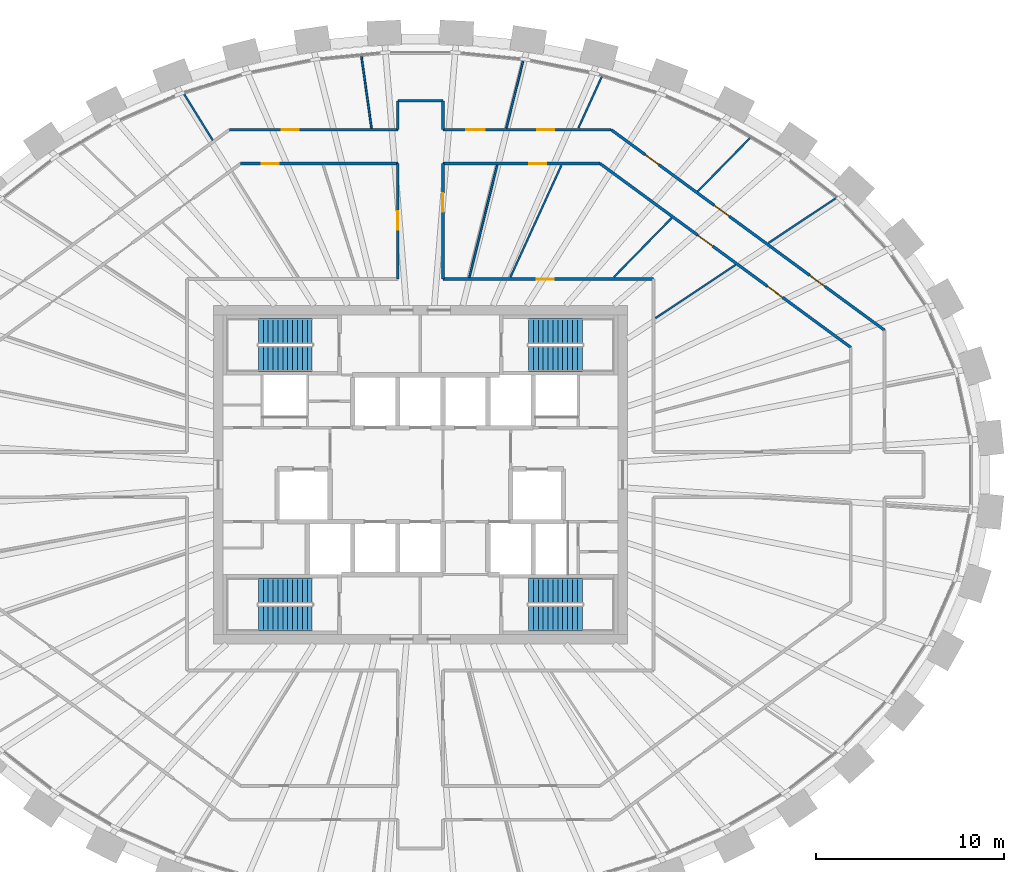
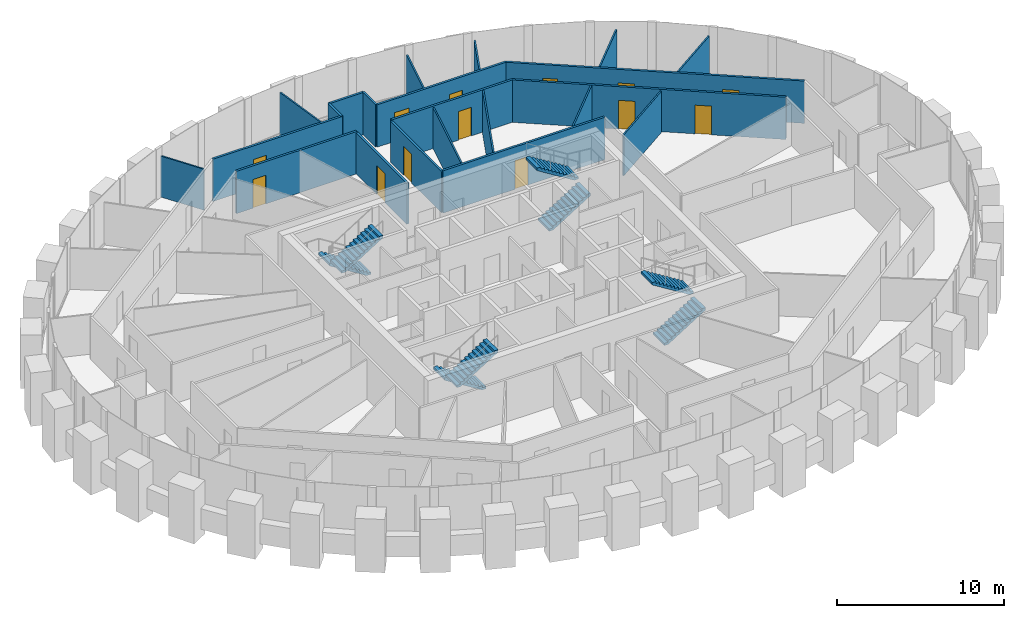
# One storey, part 10 of 11: 22 walls, 13 doors, 8 stair flights, 13 openings, 4 elements without a shape of their own.
"""IFC4 building model written with IfcOpenShell, lengths in metres."""

import ifcopenshell
import ifcopenshell.guid

model = None  # the IFC model being written
_history = None  # IfcOwnerHistory: only IFC2X3 demands one
_inside = {}  # id of a spatial element -> (the spatial element, [elements in it])
_under = {}  # id of a project, library or spatial element -> (it, [spatial elements below it])
_declared = {}  # id of a project -> (the project, [libraries it declares])
_typed = {}  # id of a type object -> (the type object, [elements of that type])
_made_of = {}  # id of a material, layer set ... -> (it, [elements and type objects made of it])


def new_model(schema):
    """Start an empty IFC model of exactly this schema.

    Asked for "IFC4X3", IfcOpenShell would pick the latest addendum, in which some entities
    have other attributes; the version numbers below select the first issue.
    IFC2X3 requires an IfcOwnerHistory on every rooted entity: one is made here for all.
    """
    global model, _history
    if schema == "IFC4X3":
        model = ifcopenshell.file(schema_version=(4, 3, 0, 0))
    else:
        model = ifcopenshell.file(schema=schema)
    _inside.clear()
    _under.clear()
    _declared.clear()
    _typed.clear()
    _made_of.clear()
    _history = None
    if model.schema == "IFC2X3":
        org = make("IfcOrganization", Name="unknown")
        user = make(
            "IfcPersonAndOrganization",
            ThePerson=make("IfcPerson", FamilyName="unknown"),
            TheOrganization=org,
        )
        app = make(
            "IfcApplication",
            ApplicationDeveloper=org,
            Version="unknown",
            ApplicationFullName="unknown",
            ApplicationIdentifier="unknown",
        )
        _history = make(
            "IfcOwnerHistory",
            OwningUser=user,
            OwningApplication=app,
            ChangeAction="ADDED",
            CreationDate=0,
        )
    return model


def make(cls, **values):
    """One entity of the class cls with the attributes given. An attribute that is None is left unset."""
    return model.create_entity(
        cls, **{name: value for name, value in values.items() if value is not None}
    )


def rooted(cls, **values):
    """An entity with a GlobalId (a new one), such as an element, a storey or a relation."""
    return make(cls, GlobalId=ifcopenshell.guid.new(), OwnerHistory=_history, **values)


def si_unit(unit_type, name, prefix=None):
    """IfcSIUnit, for example si_unit("LENGTHUNIT", "METRE", prefix="MILLI")."""
    return make("IfcSIUnit", UnitType=unit_type, Prefix=prefix, Name=name)


def assignment(units):
    """IfcUnitAssignment: the units of a project."""
    return None if units is None else make("IfcUnitAssignment", Units=units)


def point(xyz):
    """IfcCartesianPoint."""
    return None if xyz is None else make("IfcCartesianPoint", Coordinates=xyz)


def direction(xyz):
    """IfcDirection."""
    return None if xyz is None else make("IfcDirection", DirectionRatios=xyz)


def frame(location, z_axis=None, x_axis=None):
    """IfcAxis2Placement3D, a coordinate frame: its origin and axes. An axis left out is left unset."""
    return make(
        "IfcAxis2Placement3D",
        Location=point(location),
        Axis=direction(z_axis),
        RefDirection=direction(x_axis),
    )


def frame_2d(location, x_axis=None):
    """IfcAxis2Placement2D, a coordinate frame in the plane: its origin and x axis."""
    return make(
        "IfcAxis2Placement2D", Location=point(location), RefDirection=direction(x_axis)
    )


def origin():
    """The frame at (0, 0, 0) with its axes left unset."""
    return frame((0.0, 0.0, 0.0))


def place(relative_to, where):
    """IfcLocalPlacement: puts the frame where relative to a parent placement (None: the world)."""
    return make(
        "IfcLocalPlacement", PlacementRelTo=relative_to, RelativePlacement=where
    )


def context(
    kind, dimensions, precision=None, world=None, true_north=None, identifier=None
):
    """IfcGeometricRepresentationContext, for example the 3D "Model" context."""
    return make(
        "IfcGeometricRepresentationContext",
        ContextIdentifier=identifier,
        ContextType=kind,
        CoordinateSpaceDimension=dimensions,
        Precision=precision,
        WorldCoordinateSystem=world,
        TrueNorth=true_north,
    )


def subcontext(parent, identifier, kind, view, scale=None):
    """IfcGeometricRepresentationSubContext, for example "Body" below "Model"."""
    return make(
        "IfcGeometricRepresentationSubContext",
        ContextIdentifier=identifier,
        ContextType=kind,
        ParentContext=parent,
        TargetScale=scale,
        TargetView=view,
    )


def project(units=None, contexts=None):
    """IfcProject with its units and contexts."""
    return rooted(
        "IfcProject",
        Name="project",
        RepresentationContexts=contexts,
        UnitsInContext=assignment(units),
    )


def spatial(cls, under=None, at=None, **own):
    """A site, building, storey or space (cls), placed at a placement, below another one or the project."""
    s = rooted(cls, ObjectPlacement=at, **own)
    if under is not None:
        _under.setdefault(under.id(), (under, []))[1].append(s)
    return s


def polyline(points):
    """IfcPolyline through the points."""
    return make("IfcPolyline", Points=[point(p) for p in points])


def profile(cls, at=None, kind="AREA", **sizes):
    """A parametric profile (cls). Its sizes go by their IFC names, for example OverallWidth=200.0."""
    return make(cls, ProfileType=kind, Position=at, **sizes)


def rectangle(**sizes):
    """IfcRectangleProfileDef."""
    return profile("IfcRectangleProfileDef", **sizes)


def outline(outer, holes=None, kind="AREA"):
    """IfcArbitraryClosedProfileDef: a profile drawn as a closed curve; with holes, ...WithVoids."""
    if holes is None:
        return make("IfcArbitraryClosedProfileDef", ProfileType=kind, OuterCurve=outer)
    return make(
        "IfcArbitraryProfileDefWithVoids",
        ProfileType=kind,
        OuterCurve=outer,
        InnerCurves=holes,
    )


def extrude(swept, where, along, depth):
    """IfcExtrudedAreaSolid: the profile swept, set in the frame where, extruded along a direction by depth."""
    return make(
        "IfcExtrudedAreaSolid",
        SweptArea=swept,
        Position=where,
        ExtrudedDirection=direction(along),
        Depth=depth,
    )


def shape(context_of_items, identifier, shape_type, items):
    """IfcShapeRepresentation: the items that make up one representation, for example the "Body"."""
    return make(
        "IfcShapeRepresentation",
        ContextOfItems=context_of_items,
        RepresentationIdentifier=identifier,
        RepresentationType=shape_type,
        Items=items,
    )


def source(mapping_origin, context_of_items, identifier, shape_type, items):
    """IfcRepresentationMap: a shape defined once, which mapped items show again and again."""
    return make(
        "IfcRepresentationMap",
        MappingOrigin=mapping_origin,
        MappedRepresentation=shape(context_of_items, identifier, shape_type, items),
    )


def transform(
    local_origin,
    x_axis=None,
    y_axis=None,
    z_axis=None,
    scale=None,
    scale2=None,
    scale3=None,
    uniform=True,
):
    """IfcCartesianTransformationOperator3D, or its non-uniform kind. x_axis, y_axis, z_axis: its Axis1, 2, 3."""
    if uniform:
        return make(
            "IfcCartesianTransformationOperator3D",
            Axis1=direction(x_axis),
            Axis2=direction(y_axis),
            LocalOrigin=point(local_origin),
            Scale=scale,
            Axis3=direction(z_axis),
        )
    return make(
        "IfcCartesianTransformationOperator3DnonUniform",
        Axis1=direction(x_axis),
        Axis2=direction(y_axis),
        LocalOrigin=point(local_origin),
        Scale=scale,
        Axis3=direction(z_axis),
        Scale2=scale2,
        Scale3=scale3,
    )


def mapped(mapping_source, mapping_target):
    """IfcMappedItem: shows the shape of a source again, moved by a transform."""
    return make(
        "IfcMappedItem", MappingSource=mapping_source, MappingTarget=mapping_target
    )


def material(Name=None, Category=None):
    """IfcMaterial."""
    return make("IfcMaterial", Name=Name, Category=Category)


def layer(
    of_material, thickness, ventilated=None, Name=None, Category=None, Priority=None
):
    """IfcMaterialLayer: one layer of a wall or slab, of a material (None: an air gap)."""
    return make(
        "IfcMaterialLayer",
        Material=of_material,
        LayerThickness=thickness,
        IsVentilated=ventilated,
        Name=Name,
        Category=Category,
        Priority=Priority,
    )


def layer_set(layers, Name=None):
    """IfcMaterialLayerSet."""
    return make("IfcMaterialLayerSet", MaterialLayers=layers, LayerSetName=Name)


def made_of(thing, what):
    """Note that an element or type object is made of a material, layer set ...; save() writes the relation."""
    if what is not None:
        _made_of.setdefault(what.id(), (what, []))[1].append(thing)
    return thing


def type_object(cls, material=None, **own):
    """A type object (cls), such as IfcWallType, which elements share."""
    return made_of(rooted(cls, **own), material)


def element(
    cls,
    number,
    at=None,
    inside=None,
    cuts=None,
    type_object=None,
    material=None,
    context=None,
    identifier="Body",
    shape_type=None,
    held_by="IfcProductDefinitionShape",
    body=None,
    shapes=None,
    **own,
):
    """One element of the class cls, such as IfcWall. Its Tag is "e" and its number.

    at: its placement. inside: the storey or other place that contains it. cuts: it is an
    opening in that element (IfcRelVoidsElement). A single representation is given by context,
    identifier, shape_type and body (its items); several are given by shapes. held_by: the class
    of the entity that holds the representations. save() writes the other relations.
    """
    e = rooted(cls, Tag="e%d" % number, ObjectPlacement=at, **own)
    if body is not None:
        shapes = [shape(context, identifier, shape_type, body)]
    if shapes is not None:
        e.Representation = make(held_by, Representations=shapes)
    if inside is not None:
        _inside.setdefault(inside.id(), (inside, []))[1].append(e)
    if cuts is not None:
        rooted(
            "IfcRelVoidsElement", RelatingBuildingElement=cuts, RelatedOpeningElement=e
        )
    if type_object is not None:
        _typed.setdefault(type_object.id(), (type_object, []))[1].append(e)
    return made_of(e, material)


def fill(opening, filler):
    """IfcRelFillsElement: the door or window that sits in an opening."""
    return rooted(
        "IfcRelFillsElement",
        RelatingOpeningElement=opening,
        RelatedBuildingElement=filler,
    )


def aggregate(whole, parts):
    """IfcRelAggregates: a whole, such as a stair, and the parts it consists of."""
    return rooted("IfcRelAggregates", RelatingObject=whole, RelatedObjects=parts)


def save(model, path):
    """Write the relations noted so far, then the file.

    IfcRelAggregates (storeys below a building ...), IfcRelContainedInSpatialStructure (elements
    in a storey), IfcRelDefinesByType, IfcRelAssociatesMaterial and IfcRelDeclares: one each for
    every whole, place, type object, material and project.
    """
    for whole, parts in _under.values():
        aggregate(whole, parts)
    for where, things in _inside.values():
        rooted(
            "IfcRelContainedInSpatialStructure",
            RelatedElements=things,
            RelatingStructure=where,
        )
    for kind, things in _typed.values():
        rooted("IfcRelDefinesByType", RelatedObjects=things, RelatingType=kind)
    for what, things in _made_of.values():
        rooted("IfcRelAssociatesMaterial", RelatedObjects=things, RelatingMaterial=what)
    for by, libraries in _declared.values():
        rooted("IfcRelDeclares", RelatingContext=by, RelatedDefinitions=libraries)
    model.write(path)


model = new_model("IFC4")

# Units and contexts
model_context = context("Model", 3, precision=1e-05, world=origin(), true_north=direction((0.0, 1.0)))
body_context = subcontext(model_context, "Body", "Model", "MODEL_VIEW")
ifc_project = project(units=[si_unit("LENGTHUNIT", "METRE"), si_unit("AREAUNIT", "SQUARE_METRE"), si_unit("VOLUMEUNIT", "CUBIC_METRE"), si_unit("PLANEANGLEUNIT", "RADIAN"), si_unit("MASSUNIT", "GRAM", prefix="KILO")], contexts=[model_context])

# Site, building, storey
site_placement = place(None, origin())
site = spatial("IfcSite", under=ifc_project, at=site_placement, CompositionType="ELEMENT")
building_placement = place(site_placement, origin())
building = spatial("IfcBuilding", under=site, at=building_placement, Name="Embergate Tower", CompositionType="ELEMENT")
storey_placement = place(building_placement, frame((0.0, 0.0, 305.199951171875)))
storey = spatial("IfcBuildingStorey", under=building, at=storey_placement, Name="L71", CompositionType="ELEMENT", Elevation=305.199951171875)

# Wall, opening, door
ifc_material_1 = material(Name="Corridor wall dry-lined 150")
ifc_layer_1 = layer(ifc_material_1, 0.14990234375)
ifc_layer_set_1 = layer_set([ifc_layer_1], Name="Corridor wall dry-lined 150")
wall_type_1 = type_object("IfcWallType", Name="Corridor wall dry-lined 150", PredefinedType="PARTITIONING", material=ifc_layer_set_1)
shared_shape_1 = source(origin(), body_context, "Body", "SweptSolid", [
    extrude(rectangle(XDim=11.199951171875, YDim=0.14990234375, at=frame_2d((5.60009765625, 0.0))), origin(), (0.0, 0.0, 1.0), 3.10009765625),
])
wall_1_placement = place(storey_placement, frame((12.39990234375, 10.39990234375, 0.0), z_axis=(0.0, 0.0, 1.0), x_axis=(-1.0, 0.0, 0.0)))
wall_1 = element("IfcWall", 1, at=wall_1_placement, inside=storey, type_object=wall_type_1, Name="IP-2 wall", PredefinedType="PARTITIONING", context=body_context, shape_type="MappedRepresentation", body=[
    mapped(shared_shape_1, transform((0.0, 0.0, 0.0))),
])
shared_shape_2 = source(origin(), body_context, "Body", "SweptSolid", [
    extrude(rectangle(XDim=0.89990234375, YDim=2.10009765625, at=frame_2d((0.449951171875, 1.050048828125))), frame((0.0, 0.0849609375, 0.0), z_axis=(0.0, -1.0, 0.0), x_axis=(1.0, 0.0, 0.0)), (0.0, 0.0, 1.0), 0.169921875),
])
opening_1_placement = place(wall_1_placement, frame((5.31591796875, 0.0, 0.0)))
opening_1 = element("IfcOpeningElement", 2, at=opening_1_placement, cuts=wall_1, Name="Opening IF-1c", PredefinedType="OPENING", context=body_context, shape_type="MappedRepresentation", body=[
    mapped(shared_shape_2, transform((0.0, 0.0, 0.0))),
])
ifc_material_2 = material(Name="Escape fire door 900")
door_type_1 = type_object("IfcDoorType", Name="Escape fire door 900", OperationType="SINGLE_SWING_LEFT", PredefinedType="DOOR", material=ifc_material_2)
shared_shape_3 = source(origin(), body_context, "Body", "SweptSolid", [
    extrude(rectangle(XDim=0.89990234375, YDim=2.10009765625, at=frame_2d((0.449951171875, 1.050048828125))), frame((0.0, 0.02490234375, 0.0), z_axis=(0.0, -1.0, 0.0), x_axis=(1.0, 0.0, 0.0)), (0.0, 0.0, 1.0), 0.050048828125),
])
door_1_placement = place(opening_1_placement, origin())
door_1 = element("IfcDoor", 3, at=door_1_placement, inside=storey, type_object=door_type_1, Name="IF-1 door", OperationType="SINGLE_SWING_RIGHT", OverallHeight=2.10009765625, OverallWidth=0.89990234375, PredefinedType="DOOR", context=body_context, shape_type="MappedRepresentation", body=[
    mapped(shared_shape_3, transform((0.0, 0.0, 0.0))),
])
fill(opening_1, door_1)

# Wall
shared_shape_4 = source(origin(), body_context, "Body", "SweptSolid", [
    extrude(rectangle(XDim=2.39990234375, YDim=0.14990234375, at=frame_2d((1.199951171875, 0.0))), origin(), (0.0, 0.0, 1.0), 3.10009765625),
])
wall_2_placement = place(storey_placement, frame((-1.199951171875, 19.8779296875, 0.0), z_axis=(0.0, 0.0, 1.0), x_axis=(1.0, 0.0, 0.0)))
element("IfcWall", 4, at=wall_2_placement, inside=storey, type_object=wall_type_1, Name="IP-2 wall", PredefinedType="PARTITIONING", context=body_context, shape_type="MappedRepresentation", body=[
    mapped(shared_shape_4, transform((0.0, 0.0, 0.0))),
])

# Wall, openings, doors
shared_shape_5 = source(origin(), body_context, "Body", "SweptSolid", [
    extrude(rectangle(XDim=18.027099609375, YDim=0.14990234375, at=frame_2d((9.013671875, 0.0))), origin(), (0.0, 0.0, 1.0), 3.10009765625),
])
wall_3_placement = place(storey_placement, frame((24.681884765625, 7.679931640625, 0.0), z_axis=(0.0, 0.0, 1.0), x_axis=(-0.80638475932, 0.591391257914, 0.0)))
wall_3 = element("IfcWall", 5, at=wall_3_placement, inside=storey, type_object=wall_type_1, Name="IP-2 wall", PredefinedType="PARTITIONING", context=body_context, shape_type="MappedRepresentation", body=[
    mapped(shared_shape_5, transform((0.0, 0.0, 0.0))),
])
shared_shape_6 = source(origin(), body_context, "Body", "SweptSolid", [
    extrude(rectangle(XDim=1.0, YDim=2.10009765625, at=frame_2d((0.5, 1.050048828125))), frame((0.0, 0.0849609375, 0.0), z_axis=(0.0, -1.0, 0.0), x_axis=(1.0, 0.0, 0.0)), (0.0, 0.0, 1.0), 0.169921875),
])
opening_2_placement = place(wall_3_placement, frame((3.932861328125, 0.0, 0.0)))
opening_2 = element("IfcOpeningElement", 6, at=opening_2_placement, cuts=wall_3, Name="Opening ID-2", PredefinedType="OPENING", context=body_context, shape_type="MappedRepresentation", body=[
    mapped(shared_shape_6, transform((0.0, 0.0, 0.0))),
])
opening_3_placement = place(wall_3_placement, frame((10.23876953125, 0.0, 0.0)))
opening_3 = element("IfcOpeningElement", 7, at=opening_3_placement, cuts=wall_3, Name="Opening ID-2", PredefinedType="OPENING", context=body_context, shape_type="MappedRepresentation", body=[
    mapped(shared_shape_6, transform((0.0, 0.0, 0.0))),
])
opening_4_placement = place(wall_3_placement, frame((14.87939453125, 0.0, 0.0)))
opening_4 = element("IfcOpeningElement", 8, at=opening_4_placement, cuts=wall_3, Name="Opening IF-1c", PredefinedType="OPENING", context=body_context, shape_type="MappedRepresentation", body=[
    mapped(shared_shape_2, transform((0.0, 0.0, 0.0))),
])
door_2_placement = place(opening_4_placement, origin())
door_2 = element("IfcDoor", 9, at=door_2_placement, inside=storey, type_object=door_type_1, Name="IF-1 door", OperationType="SINGLE_SWING_LEFT", OverallHeight=2.10009765625, OverallWidth=0.89990234375, PredefinedType="DOOR", context=body_context, shape_type="MappedRepresentation", body=[
    mapped(shared_shape_3, transform((0.0, 0.0, 0.0))),
])
fill(opening_4, door_2)
ifc_material_3 = material(Name="Interior door 1000")
door_type_2 = type_object("IfcDoorType", Name="Interior door 1000", OperationType="SINGLE_SWING_LEFT", PredefinedType="DOOR", material=ifc_material_3)
shared_shape_7 = source(origin(), body_context, "Body", "SweptSolid", [
    extrude(rectangle(XDim=1.0, YDim=2.10009765625, at=frame_2d((0.5, 1.050048828125))), frame((0.0, 0.02490234375, 0.0), z_axis=(0.0, -1.0, 0.0), x_axis=(1.0, 0.0, 0.0)), (0.0, 0.0, 1.0), 0.050048828125),
])
door_3_placement = place(opening_2_placement, origin())
door_3 = element("IfcDoor", 10, at=door_3_placement, inside=storey, type_object=door_type_2, Name="ID-2 door", OperationType="SINGLE_SWING_RIGHT", OverallHeight=2.10009765625, OverallWidth=1.0, PredefinedType="DOOR", context=body_context, shape_type="MappedRepresentation", body=[
    mapped(shared_shape_7, transform((0.0, 0.0, 0.0))),
])
fill(opening_2, door_3)
door_4_placement = place(opening_3_placement, origin())
door_4 = element("IfcDoor", 11, at=door_4_placement, inside=storey, type_object=door_type_2, Name="ID-2 door", OperationType="SINGLE_SWING_LEFT", OverallHeight=2.10009765625, OverallWidth=1.0, PredefinedType="DOOR", context=body_context, shape_type="MappedRepresentation", body=[
    mapped(shared_shape_7, transform((0.0, 0.0, 0.0))),
])
fill(opening_3, door_4)

shared_shape_8 = source(origin(), body_context, "Body", "SweptSolid", [
    extrude(rectangle(XDim=16.525634765625, YDim=0.14990234375, at=frame_2d((8.2626953125, 0.0))), origin(), (0.0, 0.0, 1.0), 3.10009765625),
])
wall_4_placement = place(storey_placement, frame((9.555908203125, 16.541015625, 0.0), z_axis=(0.0, 0.0, 1.0), x_axis=(0.806392784122, -0.591380315631, 0.0)))
wall_4 = element("IfcWall", 12, at=wall_4_placement, inside=storey, type_object=wall_type_1, Name="IP-2 wall", PredefinedType="PARTITIONING", context=body_context, shape_type="MappedRepresentation", body=[
    mapped(shared_shape_8, transform((0.0, 0.0, 0.0))),
])
opening_5_placement = place(wall_4_placement, frame((11.03271484375, 0.0, 0.0)))
opening_5 = element("IfcOpeningElement", 13, at=opening_5_placement, cuts=wall_4, Name="Opening ID-2", PredefinedType="OPENING", context=body_context, shape_type="MappedRepresentation", body=[
    mapped(shared_shape_6, transform((0.0, 0.0, 0.0))),
])
opening_6_placement = place(wall_4_placement, frame((6.4345703125, 0.0, 0.0)))
opening_6 = element("IfcOpeningElement", 14, at=opening_6_placement, cuts=wall_4, Name="Opening ID-2", PredefinedType="OPENING", context=body_context, shape_type="MappedRepresentation", body=[
    mapped(shared_shape_6, transform((0.0, 0.0, 0.0))),
])
door_5_placement = place(opening_5_placement, origin())
door_5 = element("IfcDoor", 15, at=door_5_placement, inside=storey, type_object=door_type_2, Name="ID-2 door", OperationType="SINGLE_SWING_RIGHT", OverallHeight=2.10009765625, OverallWidth=1.0, PredefinedType="DOOR", context=body_context, shape_type="MappedRepresentation", body=[
    mapped(shared_shape_7, transform((0.0, 0.0, 0.0))),
])
fill(opening_5, door_5)
door_6_placement = place(opening_6_placement, origin())
door_6 = element("IfcDoor", 16, at=door_6_placement, inside=storey, type_object=door_type_2, Name="ID-2 door", OperationType="SINGLE_SWING_LEFT", OverallHeight=2.10009765625, OverallWidth=1.0, PredefinedType="DOOR", context=body_context, shape_type="MappedRepresentation", body=[
    mapped(shared_shape_7, transform((0.0, 0.0, 0.0))),
])
fill(opening_6, door_6)

shared_shape_9 = source(origin(), body_context, "Body", "SweptSolid", [
    extrude(rectangle(XDim=8.945068359375, YDim=0.14990234375, at=frame_2d((4.47265625, 0.0))), origin(), (0.0, 0.0, 1.0), 3.10009765625),
])
wall_5_placement = place(storey_placement, frame((10.14501953125, 18.341064453125, 0.0), z_axis=(0.0, 0.0, 1.0), x_axis=(-1.0, 0.0, 0.0)))
wall_5 = element("IfcWall", 17, at=wall_5_placement, inside=storey, type_object=wall_type_1, Name="IP-2 wall", PredefinedType="PARTITIONING", context=body_context, shape_type="MappedRepresentation", body=[
    mapped(shared_shape_9, transform((0.0, 0.0, 0.0))),
])
opening_7_placement = place(wall_5_placement, frame((3.0302734375, 0.0, 0.0)))
opening_7 = element("IfcOpeningElement", 18, at=opening_7_placement, cuts=wall_5, Name="Opening IF-1c", PredefinedType="OPENING", context=body_context, shape_type="MappedRepresentation", body=[
    mapped(shared_shape_2, transform((0.0, 0.0, 0.0))),
])
opening_8_placement = place(wall_5_placement, frame((6.71630859375, 0.0, 0.0)))
opening_8 = element("IfcOpeningElement", 19, at=opening_8_placement, cuts=wall_5, Name="Opening ID-2", PredefinedType="OPENING", context=body_context, shape_type="MappedRepresentation", body=[
    mapped(shared_shape_6, transform((0.0, 0.0, 0.0))),
])
door_7_placement = place(opening_7_placement, origin())
door_7 = element("IfcDoor", 20, at=door_7_placement, inside=storey, type_object=door_type_1, Name="IF-1 door", OperationType="SINGLE_SWING_LEFT", OverallHeight=2.10009765625, OverallWidth=0.89990234375, PredefinedType="DOOR", context=body_context, shape_type="MappedRepresentation", body=[
    mapped(shared_shape_3, transform((0.0, 0.0, 0.0))),
])
fill(opening_7, door_7)
door_8_placement = place(opening_8_placement, origin())
door_8 = element("IfcDoor", 21, at=door_8_placement, inside=storey, type_object=door_type_2, Name="ID-2 door", OperationType="SINGLE_SWING_LEFT", OverallHeight=2.10009765625, OverallWidth=1.0, PredefinedType="DOOR", context=body_context, shape_type="MappedRepresentation", body=[
    mapped(shared_shape_7, transform((0.0, 0.0, 0.0))),
])
fill(opening_8, door_8)

# Wall, opening, door
wall_6_placement = place(storey_placement, frame((-10.14501953125, 18.341064453125, 0.0), z_axis=(0.0, 0.0, 1.0), x_axis=(1.0, 0.0, 0.0)))
wall_6 = element("IfcWall", 22, at=wall_6_placement, inside=storey, type_object=wall_type_1, Name="IP-2 wall", PredefinedType="PARTITIONING", context=body_context, shape_type="MappedRepresentation", body=[
    mapped(shared_shape_9, transform((0.0, 0.0, 0.0))),
])
opening_9_placement = place(wall_6_placement, frame((2.787353515625, 0.0, 0.0)))
opening_9 = element("IfcOpeningElement", 23, at=opening_9_placement, cuts=wall_6, Name="Opening IF-1c", PredefinedType="OPENING", context=body_context, shape_type="MappedRepresentation", body=[
    mapped(shared_shape_2, transform((0.0, 0.0, 0.0))),
])
door_9_placement = place(opening_9_placement, origin())
door_9 = element("IfcDoor", 24, at=door_9_placement, inside=storey, type_object=door_type_1, Name="IF-1 door", OperationType="SINGLE_SWING_LEFT", OverallHeight=2.10009765625, OverallWidth=0.89990234375, PredefinedType="DOOR", context=body_context, shape_type="MappedRepresentation", body=[
    mapped(shared_shape_3, transform((0.0, 0.0, 0.0))),
])
fill(opening_9, door_9)

# Walls
shared_shape_10 = source(origin(), body_context, "Body", "SweptSolid", [
    extrude(rectangle(XDim=1.536865234375, YDim=0.14990234375, at=frame_2d((0.7685546875, 0.0))), origin(), (0.0, 0.0, 1.0), 3.10009765625),
])
for number, where, z_axis, x_axis, name in (
    (25, (-1.199951171875, 18.341064453125, 0.0), (0.0, 0.0, 1.0), (0.0, 1.0, 0.0), "IP-2 wall"),
    (26, (1.199951171875, 19.8779296875, 0.0), (0.0, 0.0, 1.0), (0.0, -1.0, 0.0), "IP-2 wall"),
):
    element("IfcWall", number, at=place(storey_placement, frame(where, z_axis=z_axis, x_axis=x_axis)), inside=storey, type_object=wall_type_1, Name=name, PredefinedType="PARTITIONING", context=body_context, shape_type="MappedRepresentation", body=[
        mapped(shared_shape_10, transform((0.0, 0.0, 0.0))),
    ])

# Wall, opening, door
shared_shape_11 = source(origin(), body_context, "Body", "SweptSolid", [
    extrude(rectangle(XDim=8.35595703125, YDim=0.14990234375, at=frame_2d((4.177978515625, 0.0))), origin(), (0.0, 0.0, 1.0), 3.10009765625),
])
wall_7_placement = place(storey_placement, frame((9.555908203125, 16.541015625, 0.0), z_axis=(0.0, 0.0, 1.0), x_axis=(-1.0, 0.0, 0.0)))
wall_7 = element("IfcWall", 27, at=wall_7_placement, inside=storey, type_object=wall_type_1, Name="IP-2 wall", PredefinedType="PARTITIONING", context=body_context, shape_type="MappedRepresentation", body=[
    mapped(shared_shape_11, transform((0.0, 0.0, 0.0))),
])
opening_10_placement = place(wall_7_placement, frame((2.85693359375, 0.0, 0.0)))
opening_10 = element("IfcOpeningElement", 28, at=opening_10_placement, cuts=wall_7, Name="Opening IF-1c", PredefinedType="OPENING", context=body_context, shape_type="MappedRepresentation", body=[
    mapped(shared_shape_2, transform((0.0, 0.0, 0.0))),
])
door_10_placement = place(opening_10_placement, origin())
door_10 = element("IfcDoor", 29, at=door_10_placement, inside=storey, type_object=door_type_1, Name="IF-1 door", OperationType="SINGLE_SWING_RIGHT", OverallHeight=2.10009765625, OverallWidth=0.89990234375, PredefinedType="DOOR", context=body_context, shape_type="MappedRepresentation", body=[
    mapped(shared_shape_3, transform((0.0, 0.0, 0.0))),
])
fill(opening_10, door_10)

wall_8_placement = place(storey_placement, frame((-1.199951171875, 16.541015625, 0.0), z_axis=(0.0, 0.0, 1.0), x_axis=(-1.0, 0.0, 0.0)))
wall_8 = element("IfcWall", 30, at=wall_8_placement, inside=storey, type_object=wall_type_1, Name="IP-2 wall", PredefinedType="PARTITIONING", context=body_context, shape_type="MappedRepresentation", body=[
    mapped(shared_shape_11, transform((0.0, 0.0, 0.0))),
])
opening_11_placement = place(wall_8_placement, frame((6.323974609375, 0.0, 0.0)))
opening_11 = element("IfcOpeningElement", 31, at=opening_11_placement, cuts=wall_8, Name="Opening IF-1c", PredefinedType="OPENING", context=body_context, shape_type="MappedRepresentation", body=[
    mapped(shared_shape_2, transform((0.0, 0.0, 0.0))),
])
door_11_placement = place(opening_11_placement, origin())
door_11 = element("IfcDoor", 32, at=door_11_placement, inside=storey, type_object=door_type_1, Name="IF-1 door", OperationType="SINGLE_SWING_LEFT", OverallHeight=2.10009765625, OverallWidth=0.89990234375, PredefinedType="DOOR", context=body_context, shape_type="MappedRepresentation", body=[
    mapped(shared_shape_3, transform((0.0, 0.0, 0.0))),
])
fill(opening_11, door_11)

shared_shape_12 = source(origin(), body_context, "Body", "SweptSolid", [
    extrude(rectangle(XDim=6.14111328125, YDim=0.14990234375, at=frame_2d((3.070556640625, 0.0))), origin(), (0.0, 0.0, 1.0), 3.0),
])
wall_9_placement = place(storey_placement, frame((-1.199951171875, 10.39990234375, 0.0), z_axis=(0.0, 0.0, 1.0), x_axis=(0.0, 1.0, 0.0)))
wall_9 = element("IfcWall", 33, at=wall_9_placement, inside=storey, type_object=wall_type_1, Name="IP-2 wall", PredefinedType="PARTITIONING", context=body_context, shape_type="MappedRepresentation", body=[
    mapped(shared_shape_12, transform((0.0, 0.0, 0.0))),
])
opening_12_placement = place(wall_9_placement, frame((2.615966796875, 0.0, 0.0)))
opening_12 = element("IfcOpeningElement", 34, at=opening_12_placement, cuts=wall_9, Name="Opening ID-2", PredefinedType="OPENING", context=body_context, shape_type="MappedRepresentation", body=[
    mapped(shared_shape_6, transform((0.0, 0.0, 0.0))),
])
door_12_placement = place(opening_12_placement, origin())
door_12 = element("IfcDoor", 35, at=door_12_placement, inside=storey, type_object=door_type_2, Name="ID-2 door", OperationType="SINGLE_SWING_LEFT", OverallHeight=2.10009765625, OverallWidth=1.0, PredefinedType="DOOR", context=body_context, shape_type="MappedRepresentation", body=[
    mapped(shared_shape_7, transform((0.0, 0.0, 0.0))),
])
fill(opening_12, door_12)

wall_10_placement = place(storey_placement, frame((1.199951171875, 16.541015625, 0.0), z_axis=(0.0, 0.0, 1.0), x_axis=(0.0, -1.0, 0.0)))
wall_10 = element("IfcWall", 36, at=wall_10_placement, inside=storey, type_object=wall_type_1, Name="IP-2 wall", PredefinedType="PARTITIONING", context=body_context, shape_type="MappedRepresentation", body=[
    mapped(shared_shape_12, transform((0.0, 0.0, 0.0))),
])
opening_13_placement = place(wall_10_placement, frame((1.571044921875, 0.0, 0.0)))
opening_13 = element("IfcOpeningElement", 37, at=opening_13_placement, cuts=wall_10, Name="Opening ID-2", PredefinedType="OPENING", context=body_context, shape_type="MappedRepresentation", body=[
    mapped(shared_shape_6, transform((0.0, 0.0, 0.0))),
])
door_13_placement = place(opening_13_placement, origin())
door_13 = element("IfcDoor", 38, at=door_13_placement, inside=storey, type_object=door_type_2, Name="ID-2 door", OperationType="SINGLE_SWING_RIGHT", OverallHeight=2.10009765625, OverallWidth=1.0, PredefinedType="DOOR", context=body_context, shape_type="MappedRepresentation", body=[
    mapped(shared_shape_7, transform((0.0, 0.0, 0.0))),
])
fill(opening_13, door_13)

# Walls
ifc_material_4 = material(Name="Partition dry-lined 100")
ifc_layer_2 = layer(ifc_material_4, 0.10009765625)
ifc_layer_set_2 = layer_set([ifc_layer_2], Name="Partition dry-lined 100")
wall_type_2 = type_object("IfcWallType", Name="Partition dry-lined 100", PredefinedType="PARTITIONING", material=ifc_layer_set_2)
shared_shape_13 = source(origin(), body_context, "Body", "SweptSolid", [
    extrude(rectangle(XDim=2.9609375, YDim=0.10009765625, at=frame_2d((1.48046875, 0.0))), origin(), (0.0, 0.0, 1.0), 3.0),
])
wall_11_placement = place(storey_placement, frame((-11.035888671875, 17.780029296875, 0.0), z_axis=(0.0, 0.0, 1.0), x_axis=(-0.527231490146, 0.849721693143, 0.0)))
element("IfcWall", 39, at=wall_11_placement, inside=storey, type_object=wall_type_2, Name="IP-1 wall", PredefinedType="PARTITIONING", context=body_context, shape_type="MappedRepresentation", body=[
    mapped(shared_shape_13, transform((0.0, 0.0, 0.0))),
])
shared_shape_14 = source(origin(), body_context, "Body", "SweptSolid", [
    extrude(rectangle(XDim=3.7626953125, YDim=0.10009765625, at=frame_2d((1.88134765625, 0.0))), origin(), (0.0, 0.0, 1.0), 3.0),
])
wall_12_placement = place(storey_placement, frame((4.573974609375, 18.427978515625, 0.0), z_axis=(0.0, 0.0, 1.0), x_axis=(0.240779579239, 0.970579823725, 0.0)))
element("IfcWall", 40, at=wall_12_placement, inside=storey, type_object=wall_type_2, Name="IP-1 wall", PredefinedType="PARTITIONING", context=body_context, shape_type="MappedRepresentation", body=[
    mapped(shared_shape_14, transform((0.0, 0.0, 0.0))),
])
shared_shape_15 = source(origin(), body_context, "Body", "SweptSolid", [
    extrude(rectangle(XDim=6.148193359375, YDim=0.10009765625, at=frame_2d((3.07421875, 0.0))), origin(), (0.0, 0.0, 1.0), 3.0),
])
wall_13_placement = place(storey_placement, frame((2.60302734375, 10.487060546875, 0.0), z_axis=(0.0, 0.0, 1.0), x_axis=(0.240881463777, 0.970554542727, 0.0)))
element("IfcWall", 41, at=wall_13_placement, inside=storey, type_object=wall_type_2, Name="IP-1 wall", PredefinedType="PARTITIONING", context=body_context, shape_type="MappedRepresentation", body=[
    mapped(shared_shape_15, transform((0.0, 0.0, 0.0))),
])
shared_shape_16 = source(origin(), body_context, "Body", "SweptSolid", [
    extrude(rectangle(XDim=4.36279296875, YDim=0.10009765625, at=frame_2d((2.181396484375, 0.0))), origin(), (0.0, 0.0, 1.0), 3.0),
])
wall_14_placement = place(storey_placement, frame((18.510009765625, 12.320068359375, 0.0), z_axis=(0.0, 0.0, 1.0), x_axis=(0.832514899446, 0.554002655409, 0.0)))
element("IfcWall", 42, at=wall_14_placement, inside=storey, type_object=wall_type_2, Name="IP-1 wall", PredefinedType="PARTITIONING", context=body_context, shape_type="MappedRepresentation", body=[
    mapped(shared_shape_16, transform((0.0, 0.0, 0.0))),
])
shared_shape_17 = source(origin(), body_context, "Body", "SweptSolid", [
    extrude(rectangle(XDim=5.103271484375, YDim=0.10009765625, at=frame_2d((2.5517578125, 0.0))), origin(), (0.0, 0.0, 1.0), 3.0),
])
wall_15_placement = place(storey_placement, frame((12.5029296875, 8.322021484375, 0.0), z_axis=(0.0, 0.0, 1.0), x_axis=(0.832425468101, 0.554137022817, 0.0)))
element("IfcWall", 43, at=wall_15_placement, inside=storey, type_object=wall_type_2, Name="IP-1 wall", PredefinedType="PARTITIONING", context=body_context, shape_type="MappedRepresentation", body=[
    mapped(shared_shape_17, transform((0.0, 0.0, 0.0))),
])
shared_shape_18 = source(origin(), body_context, "Body", "SweptSolid", [
    extrude(rectangle(XDim=4.0732421875, YDim=0.10009765625, at=frame_2d((2.03662109375, 0.0))), origin(), (0.0, 0.0, 1.0), 3.10009765625),
])
wall_16_placement = place(storey_placement, frame((17.60009765625, 17.97607421875, 0.0), z_axis=(0.0, 0.0, 1.0), x_axis=(-0.699696186737, -0.714440512755, 0.0)))
element("IfcWall", 44, at=wall_16_placement, inside=storey, type_object=wall_type_2, Name="IP-1 wall", PredefinedType="PARTITIONING", context=body_context, shape_type="MappedRepresentation", body=[
    mapped(shared_shape_18, transform((0.0, 0.0, 0.0))),
])
shared_shape_19 = source(origin(), body_context, "Body", "SweptSolid", [
    extrude(rectangle(XDim=3.053466796875, YDim=0.10009765625, at=frame_2d((1.52685546875, 0.0))), origin(), (0.0, 0.0, 1.0), 3.10009765625),
])
wall_17_placement = place(storey_placement, frame((8.405029296875, 18.43701171875, 0.0), z_axis=(0.0, 0.0, 1.0), x_axis=(0.414977311881, 0.909831759516, 0.0)))
element("IfcWall", 45, at=wall_17_placement, inside=storey, type_object=wall_type_2, Name="IP-1 wall", PredefinedType="PARTITIONING", context=body_context, shape_type="MappedRepresentation", body=[
    mapped(shared_shape_19, transform((0.0, 0.0, 0.0))),
])
shared_shape_20 = source(origin(), body_context, "Body", "SweptSolid", [
    extrude(rectangle(XDim=4.391357421875, YDim=0.10009765625, at=frame_2d((2.19580078125, 0.0))), origin(), (0.0, 0.0, 1.0), 3.10009765625),
])
wall_18_placement = place(storey_placement, frame((13.362060546875, 13.64794921875, 0.0), z_axis=(0.0, 0.0, 1.0), x_axis=(-0.699561519346, -0.714572376075, 0.0)))
element("IfcWall", 46, at=wall_18_placement, inside=storey, type_object=wall_type_2, Name="IP-1 wall", PredefinedType="PARTITIONING", context=body_context, shape_type="MappedRepresentation", body=[
    mapped(shared_shape_20, transform((0.0, 0.0, 0.0))),
])
shared_shape_21 = source(origin(), body_context, "Body", "SweptSolid", [
    extrude(rectangle(XDim=6.5380859375, YDim=0.10009765625, at=frame_2d((3.26904296875, 0.0))), origin(), (0.0, 0.0, 1.0), 3.10009765625),
])
wall_19_placement = place(storey_placement, frame((4.784912109375, 10.49609375, 0.0), z_axis=(0.0, 0.0, 1.0), x_axis=(0.414826760425, 0.909900411493, 0.0)))
element("IfcWall", 47, at=wall_19_placement, inside=storey, type_object=wall_type_2, Name="IP-1 wall", PredefinedType="PARTITIONING", context=body_context, shape_type="MappedRepresentation", body=[
    mapped(shared_shape_21, transform((0.0, 0.0, 0.0))),
])
shared_shape_22 = source(origin(), body_context, "Body", "SweptSolid", [
    extrude(rectangle(XDim=3.96240234375, YDim=0.10009765625, at=frame_2d((1.981201171875, 0.0))), origin(), (0.0, 0.0, 1.0), 3.10009765625),
])
wall_20_placement = place(storey_placement, frame((-2.594970703125, 18.423095703125, 0.0), z_axis=(0.0, 0.0, 1.0), x_axis=(-0.139307697399, 0.990249143118, 0.0)))
element("IfcWall", 48, at=wall_20_placement, inside=storey, type_object=wall_type_2, Name="IP-1 wall", PredefinedType="PARTITIONING", context=body_context, shape_type="MappedRepresentation", body=[
    mapped(shared_shape_22, transform((0.0, 0.0, 0.0))),
])

# Stair, stair flights
ifc_material_5 = material(Name="Exit stair")
stair_type = type_object("IfcStairType", Name="Exit stair", PredefinedType="HALF_TURN_STAIR", material=ifc_material_5)
stair_1_placement = place(storey_placement, origin())
stair_1 = element("IfcStair", 49, at=stair_1_placement, inside=storey, type_object=stair_type, Name="L71 Exit stair 1", PredefinedType="HALF_TURN_STAIR")
ifc_material_6 = material(Name="Concrete C40", Category="concrete")
stair_flight_type = type_object("IfcStairFlightType", Name="Stair flight reinforced concrete", PredefinedType="STRAIGHT", material=ifc_material_6)
shared_shape_23 = source(origin(), body_context, "Body", "SweptSolid", [
    extrude(outline(polyline([(0.0, 0.0), (0.0, 0.16259765625), (0.260009765625, 0.16259765625), (0.260009765625, 0.324951171875), (0.52001953125, 0.324951171875), (0.52001953125, 0.487548828125), (0.780029296875, 0.487548828125), (0.780029296875, 0.64990234375), (1.0400390625, 0.64990234375), (1.0400390625, 0.8125), (1.300048828125, 0.8125), (1.300048828125, 0.97509765625), (1.56005859375, 0.97509765625), (1.56005859375, 1.137451171875), (1.820068359375, 1.137451171875), (1.820068359375, 1.300048828125), (2.080078125, 1.300048828125), (2.080078125, 1.46240234375), (2.340087890625, 1.46240234375), (2.340087890625, 1.625), (2.60009765625, 1.625), (2.60009765625, 1.78759765625), (2.860107421875, 1.78759765625), (2.860107421875, 1.949951171875), (2.860107421875, 1.61083984375), (0.28271484375, 0.0), (0.0, 0.0)])), frame((0.0, 0.675048828125, 0.0), z_axis=(0.0, -1.0, 0.0), x_axis=(1.0, 0.0, 0.0)), (0.0, 0.0, 1.0), 1.35009765625),
])
stair_flight_1_placement = place(storey_placement, frame((-5.75, 7.625, 0.0), z_axis=(0.0, 0.0, 1.0), x_axis=(-1.0, 0.0, 0.0)))
stair_flight_1 = element("IfcStairFlight", 50, at=stair_flight_1_placement, type_object=stair_flight_type, Name="ST1 flight 1", NumberOfRisers=12, NumberOfTreads=11, PredefinedType="STRAIGHT", RiserHeight=0.1625, TreadLength=0.26, context=body_context, shape_type="MappedRepresentation", body=[
    mapped(shared_shape_23, transform((0.0, 0.0, 0.0))),
])
stair_flight_2_placement = place(storey_placement, frame((-8.610107421875, 6.175048828125, 1.949951171875), z_axis=(0.0, 0.0, 1.0), x_axis=(1.0, 0.0, 0.0)))
stair_flight_2 = element("IfcStairFlight", 51, at=stair_flight_2_placement, type_object=stair_flight_type, Name="ST1 flight 2", NumberOfRisers=12, NumberOfTreads=11, PredefinedType="STRAIGHT", RiserHeight=0.1625, TreadLength=0.26, context=body_context, shape_type="MappedRepresentation", body=[
    mapped(shared_shape_23, transform((0.0, 0.0, 0.0))),
])
aggregate(stair_1, [stair_flight_1, stair_flight_2])

stair_2_placement = place(storey_placement, origin())
stair_2 = element("IfcStair", 52, at=stair_2_placement, inside=storey, type_object=stair_type, Name="L71 Exit stair 2", PredefinedType="HALF_TURN_STAIR")
stair_flight_3_placement = place(storey_placement, frame((5.75, 6.175048828125, 0.0), z_axis=(0.0, 0.0, 1.0), x_axis=(1.0, 0.0, 0.0)))
stair_flight_3 = element("IfcStairFlight", 53, at=stair_flight_3_placement, type_object=stair_flight_type, Name="ST2 flight 1", NumberOfRisers=12, NumberOfTreads=11, PredefinedType="STRAIGHT", RiserHeight=0.1625, TreadLength=0.26, context=body_context, shape_type="MappedRepresentation", body=[
    mapped(shared_shape_23, transform((0.0, 0.0, 0.0))),
])
stair_flight_4_placement = place(storey_placement, frame((8.610107421875, 7.625, 1.949951171875), z_axis=(0.0, 0.0, 1.0), x_axis=(-1.0, 0.0, 0.0)))
stair_flight_4 = element("IfcStairFlight", 54, at=stair_flight_4_placement, type_object=stair_flight_type, Name="ST2 flight 2", NumberOfRisers=12, NumberOfTreads=11, PredefinedType="STRAIGHT", RiserHeight=0.1625, TreadLength=0.26, context=body_context, shape_type="MappedRepresentation", body=[
    mapped(shared_shape_23, transform((0.0, 0.0, 0.0))),
])
aggregate(stair_2, [stair_flight_3, stair_flight_4])

stair_3_placement = place(storey_placement, origin())
stair_3 = element("IfcStair", 55, at=stair_3_placement, inside=storey, type_object=stair_type, Name="L71 Exit stair 3", PredefinedType="HALF_TURN_STAIR")
stair_flight_5_placement = place(storey_placement, frame((-5.75, -6.175048828125, 0.0), z_axis=(0.0, 0.0, 1.0), x_axis=(-1.0, 0.0, 0.0)))
stair_flight_5 = element("IfcStairFlight", 56, at=stair_flight_5_placement, type_object=stair_flight_type, Name="ST3 flight 1", NumberOfRisers=12, NumberOfTreads=11, PredefinedType="STRAIGHT", RiserHeight=0.1625, TreadLength=0.26, context=body_context, shape_type="MappedRepresentation", body=[
    mapped(shared_shape_23, transform((0.0, 0.0, 0.0))),
])
stair_flight_6_placement = place(storey_placement, frame((-8.610107421875, -7.625, 1.949951171875), z_axis=(0.0, 0.0, 1.0), x_axis=(1.0, 0.0, 0.0)))
stair_flight_6 = element("IfcStairFlight", 57, at=stair_flight_6_placement, type_object=stair_flight_type, Name="ST3 flight 2", NumberOfRisers=12, NumberOfTreads=11, PredefinedType="STRAIGHT", RiserHeight=0.1625, TreadLength=0.26, context=body_context, shape_type="MappedRepresentation", body=[
    mapped(shared_shape_23, transform((0.0, 0.0, 0.0))),
])
aggregate(stair_3, [stair_flight_5, stair_flight_6])

stair_4_placement = place(storey_placement, origin())
stair_4 = element("IfcStair", 58, at=stair_4_placement, inside=storey, type_object=stair_type, Name="L71 Exit stair 4", PredefinedType="HALF_TURN_STAIR")
stair_flight_7_placement = place(storey_placement, frame((5.75, -7.625, 0.0), z_axis=(0.0, 0.0, 1.0), x_axis=(1.0, 0.0, 0.0)))
stair_flight_7 = element("IfcStairFlight", 59, at=stair_flight_7_placement, type_object=stair_flight_type, Name="ST4 flight 1", NumberOfRisers=12, NumberOfTreads=11, PredefinedType="STRAIGHT", RiserHeight=0.1625, TreadLength=0.26, context=body_context, shape_type="MappedRepresentation", body=[
    mapped(shared_shape_23, transform((0.0, 0.0, 0.0))),
])
stair_flight_8_placement = place(storey_placement, frame((8.610107421875, -6.175048828125, 1.949951171875), z_axis=(0.0, 0.0, 1.0), x_axis=(-1.0, 0.0, 0.0)))
stair_flight_8 = element("IfcStairFlight", 60, at=stair_flight_8_placement, type_object=stair_flight_type, Name="ST4 flight 2", NumberOfRisers=12, NumberOfTreads=11, PredefinedType="STRAIGHT", RiserHeight=0.1625, TreadLength=0.26, context=body_context, shape_type="MappedRepresentation", body=[
    mapped(shared_shape_23, transform((0.0, 0.0, 0.0))),
])
aggregate(stair_4, [stair_flight_7, stair_flight_8])

save(model, "model.ifc")
